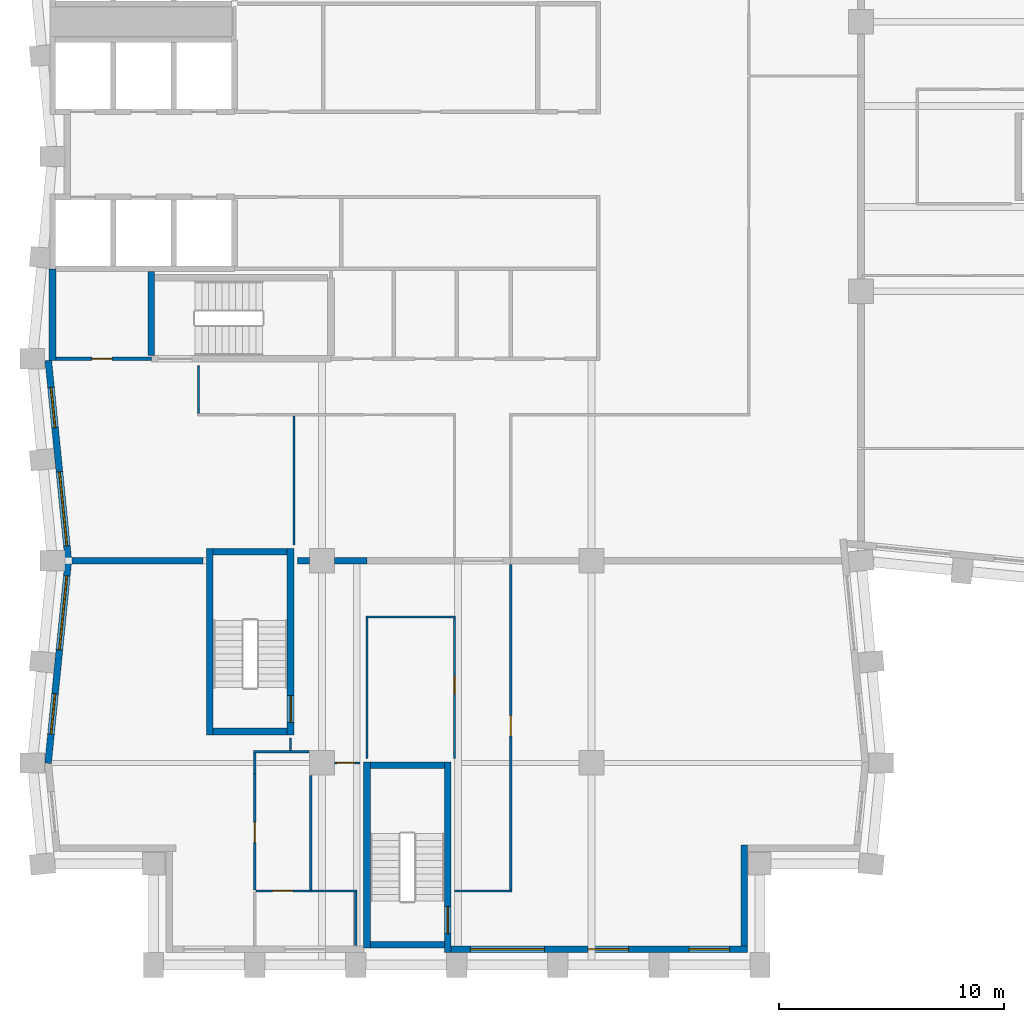
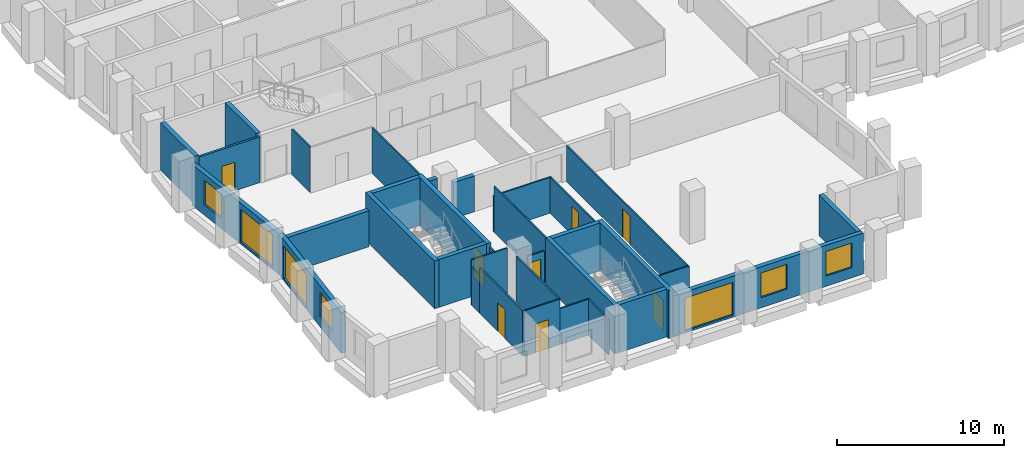
# One storey, part 3 of 10: 34 walls, 8 doors, 7 windows, 15 openings.
"""IFC4 building model written with IfcOpenShell, lengths in metres."""

from ifc_helpers import new_model, si_unit, direction, frame, frame_2d, origin, place, context, subcontext, project, spatial, rectangle, extrude, material, layer, layer_set, type_object, element, fill, save


model = new_model("IFC4")

# Units and contexts
model_context = context("Model", 3, precision=1e-05, world=origin(), true_north=direction((0.0, 1.0)))
body_context = subcontext(model_context, "Body", "Model", "MODEL_VIEW")
ifc_project = project(units=[si_unit("LENGTHUNIT", "METRE"), si_unit("AREAUNIT", "SQUARE_METRE"), si_unit("VOLUMEUNIT", "CUBIC_METRE"), si_unit("PLANEANGLEUNIT", "RADIAN"), si_unit("MASSUNIT", "GRAM", prefix="KILO")], contexts=[model_context])

# Site, building, storey
site_placement = place(None, origin())
site = spatial("IfcSite", under=ifc_project, at=site_placement, CompositionType="ELEMENT")
building_placement = place(site_placement, origin())
building = spatial("IfcBuilding", under=site, at=building_placement, Name="Brondeck Convention Tower", CompositionType="ELEMENT")
storey_placement = place(building_placement, frame((0.0, 0.0, 189.0)))
storey = spatial("IfcBuildingStorey", under=building, at=storey_placement, Name="L46", CompositionType="ELEMENT", Elevation=189.0)

# Walls
ifc_material_1 = material(Name="Concrete compartment wall C30/37", Category="concrete")
ifc_layer_1 = layer(ifc_material_1, 0.300048828125)
ifc_layer_set_1 = layer_set([ifc_layer_1], Name="Compartment wall 300")
wall_type_1 = type_object("IfcWallType", Name="Compartment wall 300", PredefinedType="PARTITIONING", material=ifc_layer_set_1)
wall_1_placement = place(storey_placement, frame((0.8740234375, 27.0, 0.0), z_axis=(0.0, 0.0, 1.0), x_axis=(1.0, 0.0, 0.0)))
element("IfcWall", 1, at=wall_1_placement, inside=storey, type_object=wall_type_1, Name="FLR-L46-W017", PredefinedType="PARTITIONING", context=body_context, shape_type="SweptSolid", body=[
    extrude(rectangle(XDim=5.825927734375, YDim=0.300048828125, at=frame_2d((2.9130859375, 0.0))), origin(), (0.0, 0.0, 1.0), 2.6298828125),
])
wall_2_placement = place(storey_placement, frame((10.89990234375, 27.0, 0.0), z_axis=(0.0, 0.0, 1.0), x_axis=(1.0, 0.0, 0.0)))
element("IfcWall", 2, at=wall_2_placement, inside=storey, type_object=wall_type_1, Name="FLR-L46-W018", PredefinedType="PARTITIONING", context=body_context, shape_type="SweptSolid", body=[
    extrude(rectangle(XDim=0.545166015625, YDim=0.300048828125, at=frame_2d((0.2724609375, 0.0))), origin(), (0.0, 0.0, 1.0), 3.330078125),
])
wall_3_placement = place(storey_placement, frame((12.554931640625, 27.0, 0.0), z_axis=(0.0, 0.0, 1.0), x_axis=(1.0, 0.0, 0.0)))
element("IfcWall", 3, at=wall_3_placement, inside=storey, type_object=wall_type_1, Name="FLR-L46-W019", PredefinedType="PARTITIONING", context=body_context, shape_type="SweptSolid", body=[
    extrude(rectangle(XDim=1.445068359375, YDim=0.300048828125, at=frame_2d((0.72265625, 0.0))), origin(), (0.0, 0.0, 1.0), 2.6298828125),
])
ifc_material_2 = material(Name="Concrete C70/85", Category="concrete")
ifc_layer_2 = layer(ifc_material_2, 0.300048828125)
ifc_layer_set_2 = layer_set([ifc_layer_2], Name="Core outer wall 300 Concrete C70/85")
wall_type_2 = type_object("IfcWallType", Name="Core outer wall 300 Concrete C70/85", PredefinedType="SHEAR", material=ifc_layer_set_2)
wall_4_placement = place(storey_placement, frame((0.0, 35.925048828125, 0.0), z_axis=(0.0, 0.0, 1.0), x_axis=(0.0, 1.0, 0.0)))
element("IfcWall", 4, at=wall_4_placement, inside=storey, type_object=wall_type_2, Name="L46 core wall", PredefinedType="SHEAR", context=body_context, shape_type="SweptSolid", body=[
    extrude(rectangle(XDim=4.074951171875, YDim=0.300048828125, at=frame_2d((2.03759765625, 0.0))), origin(), (0.0, 0.0, 1.0), 3.5),
])

# Wall, opening, door
ifc_material_3 = material(Name="Fire-rated gypsum board partition")
ifc_layer_3 = layer(ifc_material_3, 0.14990234375)
ifc_layer_set_3 = layer_set([ifc_layer_3], Name="Core partition 150 EI 60")
wall_type_3 = type_object("IfcWallType", Name="Core partition 150 EI 60", PredefinedType="PARTITIONING", material=ifc_layer_set_3)
wall_5_placement = place(storey_placement, frame((0.14990234375, 36.0, 0.0), z_axis=(0.0, 0.0, 1.0), x_axis=(1.0, 0.0, 0.0)))
wall_5 = element("IfcWall", 5, at=wall_5_placement, inside=storey, type_object=wall_type_3, Name="L46 core wall", PredefinedType="PARTITIONING", context=body_context, shape_type="SweptSolid", body=[
    extrude(rectangle(XDim=4.25, YDim=0.14990234375, at=frame_2d((2.125, 0.0))), origin(), (0.0, 0.0, 1.0), 3.35009765625),
])
opening_1_placement = place(wall_5_placement, frame((1.60009765625, 0.0, 0.0)))
opening_1 = element("IfcOpeningElement", 6, at=opening_1_placement, cuts=wall_5, Name="Opening C25-07", PredefinedType="OPENING", context=body_context, shape_type="SweptSolid", body=[
    extrude(rectangle(XDim=0.89990234375, YDim=2.10009765625, at=frame_2d((0.449951171875, 1.050048828125))), frame((0.0, 0.0849609375, 0.0), z_axis=(0.0, -1.0, 0.0), x_axis=(1.0, 0.0, 0.0)), (0.0, 0.0, 1.0), 0.169921875),
])
ifc_material_4 = material(Name="Steel fire door", Category="steel")
door_type_1 = type_object("IfcDoorType", Name="Room door 900x2100 EI 60", OperationType="NOTDEFINED", PredefinedType="DOOR", material=ifc_material_4)
door_1_placement = place(opening_1_placement, origin())
door_1 = element("IfcDoor", 7, at=door_1_placement, inside=storey, type_object=door_type_1, Name="L46 Room door FRW-1", OperationType="SINGLE_SWING_LEFT", OverallHeight=2.10009765625, OverallWidth=0.89990234375, PredefinedType="DOOR", context=body_context, shape_type="SweptSolid", body=[
    extrude(rectangle(XDim=0.89990234375, YDim=2.10009765625, at=frame_2d((0.449951171875, 1.050048828125))), frame((0.0, 0.02490234375, 0.0), z_axis=(0.0, -1.0, 0.0), x_axis=(1.0, 0.0, 0.0)), (0.0, 0.0, 1.0), 0.050048828125),
])
fill(opening_1, door_1)

# Wall, openings, windows
ifc_material_5 = material(Name="Precast concrete C50/60 bronze finish", Category="concrete")
ifc_layer_4 = layer(ifc_material_5, 0.070068359375, Name="Bronze precast facing")
ifc_material_6 = material(Name="Mineral wool")
ifc_layer_5 = layer(ifc_material_6, 0.159912109375, Name="Insulation")
ifc_material_7 = material(Name="Concrete C35/45", Category="concrete")
ifc_layer_6 = layer(ifc_material_7, 0.070068359375, Name="Backing")
ifc_layer_set_4 = layer_set([ifc_layer_4, ifc_layer_5, ifc_layer_6], Name="External infill wall, precast concrete C50/60 bronze facing")
wall_type_4 = type_object("IfcWallType", Name="External infill wall, precast concrete C50/60 bronze facing", PredefinedType="SOLIDWALL", material=ifc_layer_set_4)
wall_6_placement = place(storey_placement, frame((30.949951171875, 9.699951171875, 0.0), z_axis=(0.0, 0.0, 1.0), x_axis=(-1.0, 0.0, 0.0)))
wall_6 = element("IfcWall", 8, at=wall_6_placement, inside=storey, type_object=wall_type_4, Name="ENV-EW-L46-P1-B-S9-04", PredefinedType="SOLIDWALL", context=body_context, shape_type="SweptSolid", body=[
    extrude(rectangle(XDim=13.199951171875, YDim=0.300048828125, at=frame_2d((6.60009765625, 0.0))), origin(), (0.0, 0.0, 1.0), 3.0),
])
opening_2_placement = place(wall_6_placement, frame((0.800048828125, 0.0, 0.75)))
opening_2 = element("IfcOpeningElement", 9, at=opening_2_placement, cuts=wall_6, Name="Opening W10", PredefinedType="OPENING", context=body_context, shape_type="SweptSolid", body=[
    extrude(rectangle(XDim=1.800048828125, YDim=1.800048828125, at=frame_2d((0.89990234375, 0.89990234375))), frame((0.0, 0.159912109375, 0.0), z_axis=(0.0, -1.0, 0.0), x_axis=(1.0, 0.0, 0.0)), (0.0, 0.0, 1.0), 0.320068359375),
])
opening_3_placement = place(wall_6_placement, frame((5.300048828125, 0.0, 0.75)))
opening_3 = element("IfcOpeningElement", 10, at=opening_3_placement, cuts=wall_6, Name="Opening W10", PredefinedType="OPENING", context=body_context, shape_type="SweptSolid", body=[
    extrude(rectangle(XDim=1.800048828125, YDim=1.800048828125, at=frame_2d((0.89990234375, 0.89990234375))), frame((0.0, 0.159912109375, 0.0), z_axis=(0.0, -1.0, 0.0), x_axis=(1.0, 0.0, 0.0)), (0.0, 0.0, 1.0), 0.320068359375),
])
opening_4_placement = place(wall_6_placement, frame((9.050048828125, 0.0, 0.14990234375)))
opening_4 = element("IfcOpeningElement", 11, at=opening_4_placement, cuts=wall_6, Name="Opening W9", PredefinedType="OPENING", context=body_context, shape_type="SweptSolid", body=[
    extrude(rectangle(XDim=3.300048828125, YDim=2.39990234375, at=frame_2d((1.64990234375, 1.199951171875))), frame((0.0, 0.159912109375, 0.0), z_axis=(0.0, -1.0, 0.0), x_axis=(1.0, 0.0, 0.0)), (0.0, 0.0, 1.0), 0.320068359375),
])
ifc_material_8 = material(Name="Bronze tinted double glazing", Category="glass")
window_type_1 = type_object("IfcWindowType", Name="Glazed flute window, bronze tinted", PartitioningType="SINGLE_PANEL", PredefinedType="WINDOW", material=ifc_material_8)
window_1_placement = place(opening_4_placement, origin())
window_1 = element("IfcWindow", 12, at=window_1_placement, inside=storey, type_object=window_type_1, Name="ENV-WN-L46-P1-B-S9-04", OverallHeight=2.39990234375, OverallWidth=3.300048828125, PartitioningType="SINGLE_PANEL", PredefinedType="WINDOW", context=body_context, shape_type="SweptSolid", body=[
    extrude(rectangle(XDim=3.300048828125, YDim=2.39990234375, at=frame_2d((1.64990234375, 1.199951171875))), frame((0.0, 0.030029296875, 0.0), z_axis=(0.0, -1.0, 0.0), x_axis=(1.0, 0.0, 0.0)), (0.0, 0.0, 1.0), 0.06005859375),
])
fill(opening_4, window_1)
window_type_2 = type_object("IfcWindowType", Name="Punched window, bronze tinted", PartitioningType="SINGLE_PANEL", PredefinedType="WINDOW", material=ifc_material_8)
window_2_placement = place(opening_2_placement, origin())
window_2 = element("IfcWindow", 13, at=window_2_placement, inside=storey, type_object=window_type_2, Name="ENV-WN-L46-P1-B-S9-06", OverallHeight=1.800048828125, OverallWidth=1.800048828125, PartitioningType="SINGLE_PANEL", PredefinedType="WINDOW", context=body_context, shape_type="SweptSolid", body=[
    extrude(rectangle(XDim=1.800048828125, YDim=1.800048828125, at=frame_2d((0.89990234375, 0.89990234375))), frame((0.0, 0.030029296875, 0.0), z_axis=(0.0, -1.0, 0.0), x_axis=(1.0, 0.0, 0.0)), (0.0, 0.0, 1.0), 0.06005859375),
])
fill(opening_2, window_2)
window_3_placement = place(opening_3_placement, origin())
window_3 = element("IfcWindow", 14, at=window_3_placement, inside=storey, type_object=window_type_2, Name="ENV-WN-L46-P1-B-S9-05", OverallHeight=1.800048828125, OverallWidth=1.800048828125, PartitioningType="SINGLE_PANEL", PredefinedType="WINDOW", context=body_context, shape_type="SweptSolid", body=[
    extrude(rectangle(XDim=1.800048828125, YDim=1.800048828125, at=frame_2d((0.89990234375, 0.89990234375))), frame((0.0, 0.030029296875, 0.0), z_axis=(0.0, -1.0, 0.0), x_axis=(1.0, 0.0, 0.0)), (0.0, 0.0, 1.0), 0.06005859375),
])
fill(opening_3, window_3)

# Wall
wall_7_placement = place(storey_placement, frame((30.800048828125, 14.35009765625, 0.0), z_axis=(0.0, 0.0, 1.0), x_axis=(0.0, -1.0, 0.0)))
element("IfcWall", 15, at=wall_7_placement, inside=storey, type_object=wall_type_4, Name="ENV-EW-L46-P1-NC-SEB9-01", PredefinedType="SOLIDWALL", context=body_context, shape_type="SweptSolid", body=[
    extrude(rectangle(XDim=4.502197265625, YDim=0.300048828125, at=frame_2d((2.2509765625, 0.0))), origin(), (0.0, 0.0, 1.0), 3.0),
])

# Wall, openings, windows
wall_8_placement = place(storey_placement, frame((0.705078125, 26.985107421875, 0.0), z_axis=(0.0, 0.0, 1.0), x_axis=(-0.099533329093, 0.995034228758, 0.0)))
wall_8 = element("IfcWall", 16, at=wall_8_placement, inside=storey, type_object=wall_type_4, Name="ENV-EW-L46-P1-B-W-06", PredefinedType="SOLIDWALL", context=body_context, shape_type="SweptSolid", body=[
    extrude(rectangle(XDim=8.97998046875, YDim=0.300048828125, at=frame_2d((4.489990234375, 0.0))), origin(), (0.0, 0.0, 1.0), 3.0),
])
opening_5_placement = place(wall_8_placement, frame((0.6962890625, 0.0, 0.14990234375)))
opening_5 = element("IfcOpeningElement", 17, at=opening_5_placement, cuts=wall_8, Name="Opening W9", PredefinedType="OPENING", context=body_context, shape_type="SweptSolid", body=[
    extrude(rectangle(XDim=3.300048828125, YDim=2.39990234375, at=frame_2d((1.64990234375, 1.199951171875))), frame((0.0, 0.159912109375, 0.0), z_axis=(0.0, -1.0, 0.0), x_axis=(1.0, 0.0, 0.0)), (0.0, 0.0, 1.0), 0.320068359375),
])
opening_6_placement = place(wall_8_placement, frame((5.968505859375, 0.0, 0.75)))
opening_6 = element("IfcOpeningElement", 18, at=opening_6_placement, cuts=wall_8, Name="Opening W10", PredefinedType="OPENING", context=body_context, shape_type="SweptSolid", body=[
    extrude(rectangle(XDim=1.800048828125, YDim=1.800048828125, at=frame_2d((0.89990234375, 0.89990234375))), frame((0.0, 0.159912109375, 0.0), z_axis=(0.0, -1.0, 0.0), x_axis=(1.0, 0.0, 0.0)), (0.0, 0.0, 1.0), 0.320068359375),
])
window_4_placement = place(opening_5_placement, origin())
window_4 = element("IfcWindow", 19, at=window_4_placement, inside=storey, type_object=window_type_1, Name="ENV-WN-L46-P1-B-W-07", OverallHeight=2.39990234375, OverallWidth=3.300048828125, PartitioningType="SINGLE_PANEL", PredefinedType="WINDOW", context=body_context, shape_type="SweptSolid", body=[
    extrude(rectangle(XDim=3.300048828125, YDim=2.39990234375, at=frame_2d((1.64990234375, 1.199951171875))), frame((0.0, 0.030029296875, 0.0), z_axis=(0.0, -1.0, 0.0), x_axis=(1.0, 0.0, 0.0)), (0.0, 0.0, 1.0), 0.06005859375),
])
fill(opening_5, window_4)
window_5_placement = place(opening_6_placement, origin())
window_5 = element("IfcWindow", 20, at=window_5_placement, inside=storey, type_object=window_type_2, Name="ENV-WN-L46-P1-B-W-06", OverallHeight=1.800048828125, OverallWidth=1.800048828125, PartitioningType="SINGLE_PANEL", PredefinedType="WINDOW", context=body_context, shape_type="SweptSolid", body=[
    extrude(rectangle(XDim=1.800048828125, YDim=1.800048828125, at=frame_2d((0.89990234375, 0.89990234375))), frame((0.0, 0.030029296875, 0.0), z_axis=(0.0, -1.0, 0.0), x_axis=(1.0, 0.0, 0.0)), (0.0, 0.0, 1.0), 0.06005859375),
])
fill(opening_6, window_5)

wall_9_placement = place(storey_placement, frame((-0.197998046875, 17.985107421875, 0.0), z_axis=(0.0, 0.0, 1.0), x_axis=(0.099495688264, 0.995037993253, 0.0)))
wall_9 = element("IfcWall", 21, at=wall_9_placement, inside=storey, type_object=wall_type_4, Name="ENV-EW-L46-P1-B-W-08", PredefinedType="SOLIDWALL", context=body_context, shape_type="SweptSolid", body=[
    extrude(rectangle(XDim=9.030029296875, YDim=0.300048828125, at=frame_2d((4.51513671875, 0.0))), origin(), (0.0, 0.0, 1.0), 3.0),
])
opening_7_placement = place(wall_9_placement, frame((1.30615234375, 0.0, 0.75)))
opening_7 = element("IfcOpeningElement", 22, at=opening_7_placement, cuts=wall_9, Name="Opening W10", PredefinedType="OPENING", context=body_context, shape_type="SweptSolid", body=[
    extrude(rectangle(XDim=1.800048828125, YDim=1.800048828125, at=frame_2d((0.89990234375, 0.89990234375))), frame((0.0, 0.159912109375, 0.0), z_axis=(0.0, -1.0, 0.0), x_axis=(1.0, 0.0, 0.0)), (0.0, 0.0, 1.0), 0.320068359375),
])
opening_8_placement = place(wall_9_placement, frame((5.07861328125, 0.0, 0.14990234375)))
opening_8 = element("IfcOpeningElement", 23, at=opening_8_placement, cuts=wall_9, Name="Opening W9", PredefinedType="OPENING", context=body_context, shape_type="SweptSolid", body=[
    extrude(rectangle(XDim=3.300048828125, YDim=2.39990234375, at=frame_2d((1.64990234375, 1.199951171875))), frame((0.0, 0.159912109375, 0.0), z_axis=(0.0, -1.0, 0.0), x_axis=(1.0, 0.0, 0.0)), (0.0, 0.0, 1.0), 0.320068359375),
])
window_6_placement = place(opening_8_placement, origin())
window_6 = element("IfcWindow", 24, at=window_6_placement, inside=storey, type_object=window_type_1, Name="ENV-WN-L46-P1-B-W-08", OverallHeight=2.39990234375, OverallWidth=3.300048828125, PartitioningType="SINGLE_PANEL", PredefinedType="WINDOW", context=body_context, shape_type="SweptSolid", body=[
    extrude(rectangle(XDim=3.300048828125, YDim=2.39990234375, at=frame_2d((1.64990234375, 1.199951171875))), frame((0.0, 0.030029296875, 0.0), z_axis=(0.0, -1.0, 0.0), x_axis=(1.0, 0.0, 0.0)), (0.0, 0.0, 1.0), 0.06005859375),
])
fill(opening_8, window_6)
window_7_placement = place(opening_7_placement, origin())
window_7 = element("IfcWindow", 25, at=window_7_placement, inside=storey, type_object=window_type_2, Name="ENV-WN-L46-P1-B-W-09", OverallHeight=1.800048828125, OverallWidth=1.800048828125, PartitioningType="SINGLE_PANEL", PredefinedType="WINDOW", context=body_context, shape_type="SweptSolid", body=[
    extrude(rectangle(XDim=1.800048828125, YDim=1.800048828125, at=frame_2d((0.89990234375, 0.89990234375))), frame((0.0, 0.030029296875, 0.0), z_axis=(0.0, -1.0, 0.0), x_axis=(1.0, 0.0, 0.0)), (0.0, 0.0, 1.0), 0.06005859375),
])
fill(opening_7, window_7)

# Wall
ifc_material_9 = material(Name="Gypsum board partition on steel studs", Category="steel")
ifc_layer_7 = layer(ifc_material_9, 0.10009765625)
ifc_layer_set_5 = layer_set([ifc_layer_7], Name="Room partition 100")
wall_type_5 = type_object("IfcWallType", Name="Room partition 100", PredefinedType="PARTITIONING", material=ifc_layer_set_5)
wall_10_placement = place(storey_placement, frame((13.5, 12.25, 0.0), z_axis=(0.0, 0.0, 1.0), x_axis=(0.0, -1.0, 0.0)))
element("IfcWall", 26, at=wall_10_placement, inside=storey, type_object=wall_type_5, Name="FLR-L46-W003", PredefinedType="PARTITIONING", context=body_context, shape_type="SweptSolid", body=[
    extrude(rectangle(XDim=2.3798828125, YDim=0.10009765625, at=frame_2d((1.18994140625, 0.0))), origin(), (0.0, 0.0, 1.0), 2.6298828125),
])

# Wall, opening, door
wall_11_placement = place(storey_placement, frame((11.5, 12.300048828125, 0.0), z_axis=(0.0, 0.0, 1.0), x_axis=(-1.0, 0.0, 0.0)))
wall_11 = element("IfcWall", 27, at=wall_11_placement, inside=storey, type_object=wall_type_5, Name="FLR-L46-W004", PredefinedType="PARTITIONING", context=body_context, shape_type="SweptSolid", body=[
    extrude(rectangle(XDim=2.449951171875, YDim=0.10009765625, at=frame_2d((1.22509765625, 0.0))), origin(), (0.0, 0.0, 1.0), 3.330078125),
])
opening_9_placement = place(wall_11_placement, frame((0.800048828125, 0.0, 0.0)))
opening_9 = element("IfcOpeningElement", 28, at=opening_9_placement, cuts=wall_11, Name="Opening OF-J-001", PredefinedType="OPENING", context=body_context, shape_type="SweptSolid", body=[
    extrude(rectangle(XDim=0.89990234375, YDim=2.10009765625, at=frame_2d((0.449951171875, 1.050048828125))), frame((0.0, 0.06005859375, 0.0), z_axis=(0.0, -1.0, 0.0), x_axis=(1.0, 0.0, 0.0)), (0.0, 0.0, 1.0), 0.1201171875),
])
ifc_material_10 = material(Name="Solid timber door leaf", Category="wood")
door_type_2 = type_object("IfcDoorType", Name="Single door 900", OperationType="NOTDEFINED", PredefinedType="DOOR", material=ifc_material_10)
door_2_placement = place(opening_9_placement, origin())
door_2 = element("IfcDoor", 29, at=door_2_placement, inside=storey, type_object=door_type_2, Name="Door OF-J-001", OperationType="SINGLE_SWING_RIGHT", OverallHeight=2.10009765625, OverallWidth=0.89990234375, PredefinedType="DOOR", context=body_context, shape_type="SweptSolid", body=[
    extrude(rectangle(XDim=0.89990234375, YDim=2.10009765625, at=frame_2d((0.449951171875, 1.050048828125))), frame((0.0, 0.02490234375, 0.0), z_axis=(0.0, -1.0, 0.0), x_axis=(1.0, 0.0, 0.0)), (0.0, 0.0, 1.0), 0.050048828125),
])
fill(opening_9, door_2)

# Walls
wall_12_placement = place(storey_placement, frame((11.5, 12.300048828125, 0.0), z_axis=(0.0, 0.0, 1.0), x_axis=(1.0, 0.0, 0.0)))
element("IfcWall", 30, at=wall_12_placement, inside=storey, type_object=wall_type_5, Name="FLR-L46-W005", PredefinedType="PARTITIONING", context=body_context, shape_type="SweptSolid", body=[
    extrude(rectangle(XDim=2.050048828125, YDim=0.10009765625, at=frame_2d((1.02490234375, 0.0))), origin(), (0.0, 0.0, 1.0), 2.6298828125),
])
wall_13_placement = place(storey_placement, frame((20.449951171875, 12.300048828125, 0.0), z_axis=(0.0, 0.0, 1.0), x_axis=(-1.0, 0.0, 0.0)))
element("IfcWall", 31, at=wall_13_placement, inside=storey, type_object=wall_type_5, Name="FLR-L46-W006", PredefinedType="PARTITIONING", context=body_context, shape_type="SweptSolid", body=[
    extrude(rectangle(XDim=2.550048828125, YDim=0.10009765625, at=frame_2d((1.27490234375, 0.0))), origin(), (0.0, 0.0, 1.0), 2.6298828125),
])

# Wall, opening, door
wall_14_placement = place(storey_placement, frame((9.0, 12.35009765625, 0.0), z_axis=(0.0, 0.0, 1.0), x_axis=(0.0, 1.0, 0.0)))
wall_14 = element("IfcWall", 32, at=wall_14_placement, inside=storey, type_object=wall_type_5, Name="FLR-L46-W007", PredefinedType="PARTITIONING", context=body_context, shape_type="SweptSolid", body=[
    extrude(rectangle(XDim=5.14990234375, YDim=0.10009765625, at=frame_2d((2.574951171875, 0.0))), origin(), (0.0, 0.0, 1.0), 3.330078125),
])
opening_10_placement = place(wall_14_placement, frame((2.10009765625, 0.0, 0.0)))
opening_10 = element("IfcOpeningElement", 33, at=opening_10_placement, cuts=wall_14, Name="Opening OF-J-011", PredefinedType="OPENING", context=body_context, shape_type="SweptSolid", body=[
    extrude(rectangle(XDim=0.89990234375, YDim=2.10009765625, at=frame_2d((0.449951171875, 1.050048828125))), frame((0.0, 0.06005859375, 0.0), z_axis=(0.0, -1.0, 0.0), x_axis=(1.0, 0.0, 0.0)), (0.0, 0.0, 1.0), 0.1201171875),
])
door_3_placement = place(opening_10_placement, origin())
door_3 = element("IfcDoor", 34, at=door_3_placement, inside=storey, type_object=door_type_2, Name="Door OF-J-011", OperationType="SINGLE_SWING_RIGHT", OverallHeight=2.10009765625, OverallWidth=0.89990234375, PredefinedType="DOOR", context=body_context, shape_type="SweptSolid", body=[
    extrude(rectangle(XDim=0.89990234375, YDim=2.10009765625, at=frame_2d((0.449951171875, 1.050048828125))), frame((0.0, 0.02490234375, 0.0), z_axis=(0.0, -1.0, 0.0), x_axis=(1.0, 0.0, 0.0)), (0.0, 0.0, 1.0), 0.050048828125),
])
fill(opening_10, door_3)

# Walls
wall_15_placement = place(storey_placement, frame((11.5, 17.445068359375, 0.0), z_axis=(0.0, 0.0, 1.0), x_axis=(0.0, -1.0, 0.0)))
element("IfcWall", 35, at=wall_15_placement, inside=storey, type_object=wall_type_5, Name="FLR-L46-W008", PredefinedType="PARTITIONING", context=body_context, shape_type="SweptSolid", body=[
    extrude(rectangle(XDim=5.094970703125, YDim=0.10009765625, at=frame_2d((2.54736328125, 0.0))), origin(), (0.0, 0.0, 1.0), 3.330078125),
])
wall_16_placement = place(storey_placement, frame((9.0, 17.5, 0.0), z_axis=(0.0, 0.0, 1.0), x_axis=(0.0, 1.0, 0.0)))
element("IfcWall", 36, at=wall_16_placement, inside=storey, type_object=wall_type_5, Name="FLR-L46-W009", PredefinedType="PARTITIONING", context=body_context, shape_type="SweptSolid", body=[
    extrude(rectangle(XDim=0.949951171875, YDim=0.10009765625, at=frame_2d((0.47509765625, 0.0))), origin(), (0.0, 0.0, 1.0), 2.780029296875),
])

# Wall, opening, door
wall_17_placement = place(storey_placement, frame((13.699951171875, 18.0, 0.0), z_axis=(0.0, 0.0, 1.0), x_axis=(-1.0, 0.0, 0.0)))
wall_17 = element("IfcWall", 37, at=wall_17_placement, inside=storey, type_object=wall_type_5, Name="FLR-L46-W010", PredefinedType="PARTITIONING", context=body_context, shape_type="SweptSolid", body=[
    extrude(rectangle(XDim=1.14501953125, YDim=0.10009765625, at=frame_2d((0.572509765625, 0.0))), origin(), (0.0, 0.0, 1.0), 2.6298828125),
])
opening_11_placement = place(wall_17_placement, frame((0.2451171875, 0.0, 0.0)))
opening_11 = element("IfcOpeningElement", 38, at=opening_11_placement, cuts=wall_17, Name="Opening OF-J-004", PredefinedType="OPENING", context=body_context, shape_type="SweptSolid", body=[
    extrude(rectangle(XDim=0.800048828125, YDim=2.10009765625, at=frame_2d((0.39990234375, 1.050048828125))), frame((0.0, 0.06005859375, 0.0), z_axis=(0.0, -1.0, 0.0), x_axis=(1.0, 0.0, 0.0)), (0.0, 0.0, 1.0), 0.1201171875),
])
ifc_material_11 = material(Name="Steel service door leaf", Category="steel")
door_type_3 = type_object("IfcDoorType", Name="Service door 800", OperationType="NOTDEFINED", PredefinedType="DOOR", material=ifc_material_11)
door_4_placement = place(opening_11_placement, origin())
door_4 = element("IfcDoor", 39, at=door_4_placement, inside=storey, type_object=door_type_3, Name="Door OF-J-004", OperationType="SINGLE_SWING_LEFT", OverallHeight=2.10009765625, OverallWidth=0.800048828125, PredefinedType="DOOR", context=body_context, shape_type="SweptSolid", body=[
    extrude(rectangle(XDim=0.800048828125, YDim=2.10009765625, at=frame_2d((0.39990234375, 1.050048828125))), frame((0.0, 0.02490234375, 0.0), z_axis=(0.0, -1.0, 0.0), x_axis=(1.0, 0.0, 0.0)), (0.0, 0.0, 1.0), 0.050048828125),
])
fill(opening_11, door_4)

wall_18_placement = place(storey_placement, frame((17.89990234375, 18.199951171875, 0.0), z_axis=(0.0, 0.0, 1.0), x_axis=(0.0, 1.0, 0.0)))
wall_18 = element("IfcWall", 40, at=wall_18_placement, inside=storey, type_object=wall_type_5, Name="FLR-L46-W011", PredefinedType="PARTITIONING", context=body_context, shape_type="SweptSolid", body=[
    extrude(rectangle(XDim=6.25, YDim=0.10009765625, at=frame_2d((3.125, 0.0))), origin(), (0.0, 0.0, 1.0), 2.6298828125),
])
opening_12_placement = place(wall_18_placement, frame((2.85009765625, 0.0, 0.0)))
opening_12 = element("IfcOpeningElement", 41, at=opening_12_placement, cuts=wall_18, Name="Opening OF-J-003", PredefinedType="OPENING", context=body_context, shape_type="SweptSolid", body=[
    extrude(rectangle(XDim=0.800048828125, YDim=2.10009765625, at=frame_2d((0.39990234375, 1.050048828125))), frame((0.0, 0.06005859375, 0.0), z_axis=(0.0, -1.0, 0.0), x_axis=(1.0, 0.0, 0.0)), (0.0, 0.0, 1.0), 0.1201171875),
])
door_5_placement = place(opening_12_placement, origin())
door_5 = element("IfcDoor", 42, at=door_5_placement, inside=storey, type_object=door_type_3, Name="Door OF-J-003", OperationType="SINGLE_SWING_LEFT", OverallHeight=2.10009765625, OverallWidth=0.800048828125, PredefinedType="DOOR", context=body_context, shape_type="SweptSolid", body=[
    extrude(rectangle(XDim=0.800048828125, YDim=2.10009765625, at=frame_2d((0.39990234375, 1.050048828125))), frame((0.0, 0.02490234375, 0.0), z_axis=(0.0, -1.0, 0.0), x_axis=(1.0, 0.0, 0.0)), (0.0, 0.0, 1.0), 0.050048828125),
])
fill(opening_12, door_5)

# Walls
wall_19_placement = place(storey_placement, frame((8.949951171875, 18.5, 0.0), z_axis=(0.0, 0.0, 1.0), x_axis=(1.0, 0.0, 0.0)))
element("IfcWall", 43, at=wall_19_placement, inside=storey, type_object=wall_type_5, Name="FLR-L46-W012", PredefinedType="PARTITIONING", context=body_context, shape_type="SweptSolid", body=[
    extrude(rectangle(XDim=2.47998046875, YDim=0.10009765625, at=frame_2d((1.239990234375, 0.0))), origin(), (0.0, 0.0, 1.0), 3.330078125),
])
wall_20_placement = place(storey_placement, frame((10.60009765625, 18.550048828125, 0.0), z_axis=(0.0, 0.0, 1.0), x_axis=(0.0, 1.0, 0.0)))
element("IfcWall", 44, at=wall_20_placement, inside=storey, type_object=wall_type_5, Name="FLR-L46-W013", PredefinedType="PARTITIONING", context=body_context, shape_type="SweptSolid", body=[
    extrude(rectangle(XDim=0.550048828125, YDim=0.10009765625, at=frame_2d((0.27490234375, 0.0))), origin(), (0.0, 0.0, 1.0), 3.330078125),
])
wall_21_placement = place(storey_placement, frame((14.0, 24.449951171875, 0.0), z_axis=(0.0, 0.0, 1.0), x_axis=(0.0, -1.0, 0.0)))
element("IfcWall", 45, at=wall_21_placement, inside=storey, type_object=wall_type_5, Name="FLR-L46-W014", PredefinedType="PARTITIONING", context=body_context, shape_type="SweptSolid", body=[
    extrude(rectangle(XDim=6.25, YDim=0.10009765625, at=frame_2d((3.125, 0.0))), origin(), (0.0, 0.0, 1.0), 3.330078125),
])
wall_22_placement = place(storey_placement, frame((17.949951171875, 24.5, 0.0), z_axis=(0.0, 0.0, 1.0), x_axis=(-1.0, 0.0, 0.0)))
element("IfcWall", 46, at=wall_22_placement, inside=storey, type_object=wall_type_5, Name="FLR-L46-W015", PredefinedType="PARTITIONING", context=body_context, shape_type="SweptSolid", body=[
    extrude(rectangle(XDim=4.0, YDim=0.10009765625, at=frame_2d((2.0, 0.0))), origin(), (0.0, 0.0, 1.0), 2.6298828125),
])

# Wall, opening, door
wall_23_placement = place(storey_placement, frame((20.39990234375, 26.830078125, 0.0), z_axis=(0.0, 0.0, 1.0), x_axis=(0.0, -1.0, 0.0)))
wall_23 = element("IfcWall", 47, at=wall_23_placement, inside=storey, type_object=wall_type_5, Name="FLR-L46-W016", PredefinedType="PARTITIONING", context=body_context, shape_type="SweptSolid", body=[
    extrude(rectangle(XDim=14.47998046875, YDim=0.10009765625, at=frame_2d((7.239990234375, 0.0))), origin(), (0.0, 0.0, 1.0), 2.6298828125),
])
opening_13_placement = place(wall_23_placement, frame((6.72998046875, 0.0, 0.0)))
opening_13 = element("IfcOpeningElement", 48, at=opening_13_placement, cuts=wall_23, Name="Opening OF-J-010", PredefinedType="OPENING", context=body_context, shape_type="SweptSolid", body=[
    extrude(rectangle(XDim=0.89990234375, YDim=2.10009765625, at=frame_2d((0.449951171875, 1.050048828125))), frame((0.0, 0.06005859375, 0.0), z_axis=(0.0, -1.0, 0.0), x_axis=(1.0, 0.0, 0.0)), (0.0, 0.0, 1.0), 0.1201171875),
])
door_6_placement = place(opening_13_placement, origin())
door_6 = element("IfcDoor", 49, at=door_6_placement, inside=storey, type_object=door_type_2, Name="Door OF-J-010", OperationType="SINGLE_SWING_LEFT", OverallHeight=2.10009765625, OverallWidth=0.89990234375, PredefinedType="DOOR", context=body_context, shape_type="SweptSolid", body=[
    extrude(rectangle(XDim=0.89990234375, YDim=2.10009765625, at=frame_2d((0.449951171875, 1.050048828125))), frame((0.0, 0.02490234375, 0.0), z_axis=(0.0, -1.0, 0.0), x_axis=(1.0, 0.0, 0.0)), (0.0, 0.0, 1.0), 0.050048828125),
])
fill(opening_13, door_6)

# Walls
wall_24_placement = place(storey_placement, frame((10.748046875, 33.449951171875, 0.0), z_axis=(0.0, 0.0, 1.0), x_axis=(0.0, -1.0, 0.0)))
element("IfcWall", 50, at=wall_24_placement, inside=storey, type_object=wall_type_5, Name="FLR-L46-W030", PredefinedType="PARTITIONING", context=body_context, shape_type="SweptSolid", body=[
    extrude(rectangle(XDim=5.75, YDim=0.10009765625, at=frame_2d((2.875, 0.0))), origin(), (0.0, 0.0, 1.0), 3.330078125),
])
wall_25_placement = place(storey_placement, frame((6.5, 33.550048828125, 0.0), z_axis=(0.0, 0.0, 1.0), x_axis=(0.0, 1.0, 0.0)))
element("IfcWall", 51, at=wall_25_placement, inside=storey, type_object=wall_type_5, Name="FLR-L46-W035", PredefinedType="PARTITIONING", context=body_context, shape_type="SweptSolid", body=[
    extrude(rectangle(XDim=2.14990234375, YDim=0.10009765625, at=frame_2d((1.074951171875, 0.0))), origin(), (0.0, 0.0, 1.0), 3.330078125),
])
ifc_layer_8 = layer(ifc_material_2, 0.300048828125)
ifc_layer_set_6 = layer_set([ifc_layer_8], Name="Stair enclosure wall 300 Concrete C70/85")
wall_type_6 = type_object("IfcWallType", Name="Stair enclosure wall 300 Concrete C70/85", PredefinedType="SHEAR", material=ifc_layer_set_6)
for number, where, z_axis, x_axis, name in (
    (52, (14.14990234375, 9.89990234375, 0.0), (0.0, 0.0, 1.0), (1.0, 0.0, 0.0), "L46 core wall"),
    (53, (14.14990234375, 17.89990234375, 0.0), (0.0, 0.0, 1.0), (1.0, 0.0, 0.0), "L46 core wall"),
    (54, (7.14990234375, 19.39990234375, 0.0), (0.0, 0.0, 1.0), (1.0, 0.0, 0.0), "L46 core wall"),
    (55, (7.14990234375, 27.39990234375, 0.0), (0.0, 0.0, 1.0), (1.0, 0.0, 0.0), "L46 core wall"),
):
    element("IfcWall", number, at=place(storey_placement, frame(where, z_axis=z_axis, x_axis=x_axis)), inside=storey, type_object=wall_type_6, Name=name, PredefinedType="SHEAR", context=body_context, shape_type="SweptSolid", body=[
        extrude(rectangle(XDim=3.300048828125, YDim=0.300048828125, at=frame_2d((1.64990234375, 0.0))), origin(), (0.0, 0.0, 1.0), 3.5),
    ])
wall_26_placement = place(storey_placement, frame((4.39990234375, 36.14990234375, 0.0), z_axis=(0.0, 0.0, 1.0), x_axis=(0.0, 1.0, 0.0)))
element("IfcWall", 56, at=wall_26_placement, inside=storey, type_object=wall_type_6, Name="L46 core wall", PredefinedType="SHEAR", context=body_context, shape_type="SweptSolid", body=[
    extrude(rectangle(XDim=3.72509765625, YDim=0.300048828125, at=frame_2d((1.862548828125, 0.0))), origin(), (0.0, 0.0, 1.0), 3.5),
])
wall_27_placement = place(storey_placement, frame((7.0, 19.25, 0.0), z_axis=(0.0, 0.0, 1.0), x_axis=(0.0, 1.0, 0.0)))
element("IfcWall", 57, at=wall_27_placement, inside=storey, type_object=wall_type_6, Name="L46 core wall", PredefinedType="SHEAR", context=body_context, shape_type="SweptSolid", body=[
    extrude(rectangle(XDim=8.300048828125, YDim=0.300048828125, at=frame_2d((4.14990234375, 0.0))), origin(), (0.0, 0.0, 1.0), 3.5),
])

# Wall, opening, door
wall_28_placement = place(storey_placement, frame((10.60009765625, 19.25, 0.0), z_axis=(0.0, 0.0, 1.0), x_axis=(0.0, 1.0, 0.0)))
wall_28 = element("IfcWall", 58, at=wall_28_placement, inside=storey, type_object=wall_type_6, Name="L46 core wall", PredefinedType="SHEAR", context=body_context, shape_type="SweptSolid", body=[
    extrude(rectangle(XDim=8.300048828125, YDim=0.300048828125, at=frame_2d((4.14990234375, 0.0))), origin(), (0.0, 0.0, 1.0), 3.5),
])
opening_14_placement = place(wall_28_placement, frame((0.550048828125, 0.0, 0.0)))
opening_14 = element("IfcOpeningElement", 59, at=opening_14_placement, cuts=wall_28, Name="Opening C25-19", PredefinedType="OPENING", context=body_context, shape_type="SweptSolid", body=[
    extrude(rectangle(XDim=1.199951171875, YDim=2.199951171875, at=frame_2d((0.60009765625, 1.10009765625))), frame((0.0, 0.159912109375, 0.0), z_axis=(0.0, -1.0, 0.0), x_axis=(1.0, 0.0, 0.0)), (0.0, 0.0, 1.0), 0.320068359375),
])
door_type_4 = type_object("IfcDoorType", Name="Stair door 1200x2200 EI 90", OperationType="NOTDEFINED", PredefinedType="DOOR", material=ifc_material_4)
door_7_placement = place(opening_14_placement, origin())
door_7 = element("IfcDoor", 60, at=door_7_placement, inside=storey, type_object=door_type_4, Name="L46 Stair door ST-BE", OperationType="SINGLE_SWING_RIGHT", OverallHeight=2.199951171875, OverallWidth=1.199951171875, PredefinedType="DOOR", context=body_context, shape_type="SweptSolid", body=[
    extrude(rectangle(XDim=1.199951171875, YDim=2.199951171875, at=frame_2d((0.60009765625, 1.10009765625))), frame((0.0, 0.02490234375, 0.0), z_axis=(0.0, -1.0, 0.0), x_axis=(1.0, 0.0, 0.0)), (0.0, 0.0, 1.0), 0.050048828125),
])
fill(opening_14, door_7)

# Wall
wall_29_placement = place(storey_placement, frame((14.0, 9.75, 0.0), z_axis=(0.0, 0.0, 1.0), x_axis=(0.0, 1.0, 0.0)))
element("IfcWall", 61, at=wall_29_placement, inside=storey, type_object=wall_type_6, Name="L46 core wall", PredefinedType="SHEAR", context=body_context, shape_type="SweptSolid", body=[
    extrude(rectangle(XDim=8.300048828125, YDim=0.300048828125, at=frame_2d((4.14990234375, 0.0))), origin(), (0.0, 0.0, 1.0), 3.5),
])

# Wall, opening, door
wall_30_placement = place(storey_placement, frame((17.60009765625, 9.550048828125, 0.0), z_axis=(0.0, 0.0, 1.0), x_axis=(0.0, 1.0, 0.0)))
wall_30 = element("IfcWall", 62, at=wall_30_placement, inside=storey, type_object=wall_type_6, Name="L46 core wall", PredefinedType="SHEAR", context=body_context, shape_type="SweptSolid", body=[
    extrude(rectangle(XDim=8.5, YDim=0.300048828125, at=frame_2d((4.25, 0.0))), origin(), (0.0, 0.0, 1.0), 3.5),
])
opening_15_placement = place(wall_30_placement, frame((0.85009765625, 0.0, 0.0)))
opening_15 = element("IfcOpeningElement", 63, at=opening_15_placement, cuts=wall_30, Name="Opening C25-20", PredefinedType="OPENING", context=body_context, shape_type="SweptSolid", body=[
    extrude(rectangle(XDim=1.199951171875, YDim=2.199951171875, at=frame_2d((0.60009765625, 1.10009765625))), frame((0.0, 0.159912109375, 0.0), z_axis=(0.0, -1.0, 0.0), x_axis=(1.0, 0.0, 0.0)), (0.0, 0.0, 1.0), 0.320068359375),
])
door_8_placement = place(opening_15_placement, origin())
door_8 = element("IfcDoor", 64, at=door_8_placement, inside=storey, type_object=door_type_4, Name="L46 Stair door ST-BF", OperationType="SINGLE_SWING_LEFT", OverallHeight=2.199951171875, OverallWidth=1.199951171875, PredefinedType="DOOR", context=body_context, shape_type="SweptSolid", body=[
    extrude(rectangle(XDim=1.199951171875, YDim=2.199951171875, at=frame_2d((0.60009765625, 1.10009765625))), frame((0.0, 0.02490234375, 0.0), z_axis=(0.0, -1.0, 0.0), x_axis=(1.0, 0.0, 0.0)), (0.0, 0.0, 1.0), 0.050048828125),
])
fill(opening_15, door_8)

save(model, "model.ifc")
